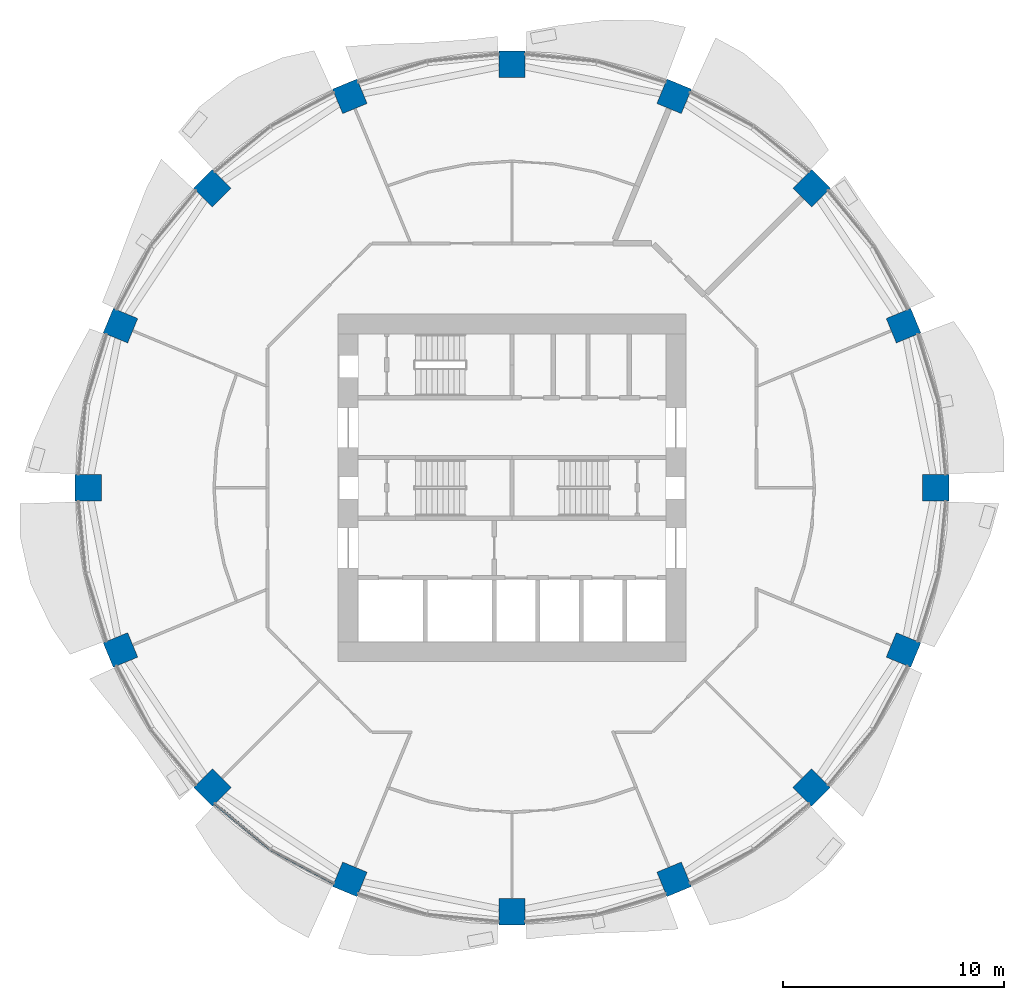
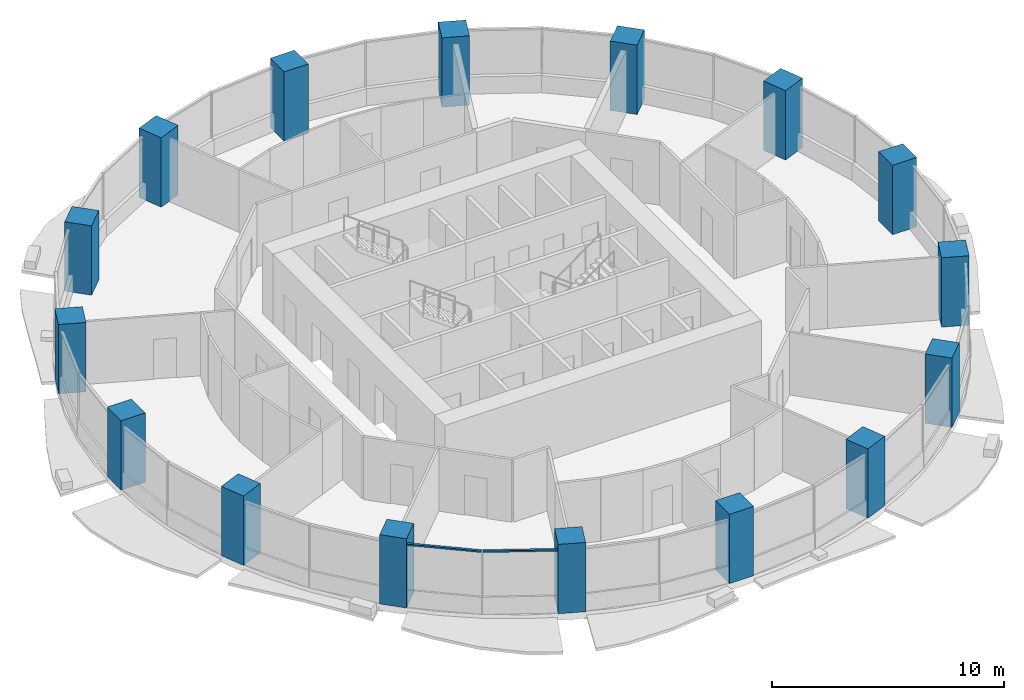
# One storey, part 1 of 15: 16 columns, 2 members, 1 element without a shape of its own.
"""IFC4 building model written with IfcOpenShell, lengths in metres."""

from ifc_helpers import new_model, si_unit, direction, frame, origin, origin_2d, place, context, subcontext, project, spatial, rectangle, extrude, material, material_profile, profile_set, type_object, element, aggregate, save


model = new_model("IFC4")

# Units and contexts
model_context = context("Model", 3, precision=1e-05, world=origin(), true_north=direction((0.0, 1.0)))
body_context = subcontext(model_context, "Body", "Model", "MODEL_VIEW")
ifc_project = project(units=[si_unit("LENGTHUNIT", "METRE"), si_unit("AREAUNIT", "SQUARE_METRE"), si_unit("VOLUMEUNIT", "CUBIC_METRE"), si_unit("PLANEANGLEUNIT", "RADIAN"), si_unit("MASSUNIT", "GRAM", prefix="KILO")], contexts=[model_context])

# Site, building, storey
site_placement = place(None, origin())
site = spatial("IfcSite", under=ifc_project, at=site_placement, CompositionType="ELEMENT")
building_placement = place(site_placement, origin())
building = spatial("IfcBuilding", under=site, at=building_placement, Name="Polderwave Tower", CompositionType="ELEMENT")
storey_placement = place(building_placement, frame((0.0, 0.0, 29.85009765625)))
storey = spatial("IfcBuildingStorey", under=building, at=storey_placement, Name="L07", CompositionType="ELEMENT", Elevation=29.85009765625)

# Columns
ifc_material_1 = material(Name="Concrete C70/85", Category="concrete")
ifc_material_profile_1 = material_profile(ifc_material_1, rectangle(XDim=1.199951171875, YDim=1.199951171875, at=origin_2d()), Name="RC 1200x1200")
ifc_profile_set_1 = profile_set([ifc_material_profile_1], Name="Concrete C70/85")
column_type = type_object("IfcColumnType", Name="RC COLUMN 1200x1200 C70/85", PredefinedType="COLUMN", material=ifc_profile_set_1)
for number, where, z_axis, x_axis, name in (
    (1, (19.199951171875, 0.0, 0.0), (0.0, 0.0, 1.0), (1.0, 0.0, 0.0), "Ring column 01"),
    (2, (17.738525390625, 7.347412109375, 0.0), (0.0, 0.0, 1.0), (0.923879532511, 0.382683432365, 0.0), "Ring column 02"),
    (3, (13.576416015625, 13.576416015625, 0.0), (0.0, 0.0, 1.0), (0.707106781187, 0.707106781187, 0.0), "Ring column 03"),
    (4, (7.347412109375, 17.738525390625, 0.0), (0.0, 0.0, 1.0), (0.382683432365, 0.923879532511, 0.0), "Ring column 04"),
    (5, (0.0, 19.199951171875, 0.0), (0.0, 0.0, 1.0), (0.0, 1.0, 0.0), "Ring column 05"),
    (6, (-7.347412109375, 17.738525390625, 0.0), (0.0, 0.0, 1.0), (-0.382683432365, 0.923879532511, 0.0), "Ring column 06"),
    (7, (-13.576416015625, 13.576416015625, 0.0), (0.0, 0.0, 1.0), (-0.707106781187, 0.707106781187, 0.0), "Ring column 07"),
    (8, (-17.738525390625, 7.347412109375, 0.0), (0.0, 0.0, 1.0), (-0.923879532511, 0.382683432365, 0.0), "Ring column 08"),
    (9, (-19.199951171875, 0.0, 0.0), (0.0, 0.0, 1.0), (-1.0, 0.0, 0.0), "Ring column 09"),
    (10, (-17.738525390625, -7.347412109375, 0.0), (0.0, 0.0, 1.0), (-0.923879532511, -0.382683432365, 0.0), "Ring column 10"),
    (11, (-13.576416015625, -13.576416015625, 0.0), (0.0, 0.0, 1.0), (-0.707106781187, -0.707106781187, 0.0), "Ring column 11"),
    (12, (-7.347412109375, -17.738525390625, 0.0), (0.0, 0.0, 1.0), (-0.382683432365, -0.923879532511, 0.0), "Ring column 12"),
    (13, (0.0, -19.199951171875, 0.0), (0.0, 0.0, 1.0), (0.0, -1.0, 0.0), "Ring column 13"),
    (14, (7.347412109375, -17.738525390625, 0.0), (0.0, 0.0, 1.0), (0.382683432365, -0.923879532511, 0.0), "Ring column 14"),
    (15, (13.576416015625, -13.576416015625, 0.0), (0.0, 0.0, 1.0), (0.707106781187, -0.707106781187, 0.0), "Ring column 15"),
    (16, (17.738525390625, -7.347412109375, 0.0), (0.0, 0.0, 1.0), (0.923879532511, -0.382683432365, 0.0), "Ring column 16"),
):
    element("IfcColumn", number, at=place(storey_placement, frame(where, z_axis=z_axis, x_axis=x_axis)), inside=storey, type_object=column_type, Name=name, PredefinedType="COLUMN", context=body_context, shape_type="SweptSolid", body=[
        extrude(rectangle(XDim=1.199951171875, YDim=1.199951171875, at=origin_2d()), origin(), (0.0, 0.0, 1.0), 3.64990234375),
    ])

# Curtain wall, members
ifc_material_2 = material(Name="Aluminium 6063-T6 and glass", Category="aluminium")
curtain_wall_type = type_object("IfcCurtainWallType", Name="Growing floor ribbon glazing wall", PredefinedType="NOTDEFINED", material=ifc_material_2)
curtain_wall_placement = place(storey_placement, origin())
curtain_wall = element("IfcCurtainWall", 17, at=curtain_wall_placement, inside=storey, type_object=curtain_wall_type, Name="CW2 L07 10", PredefinedType="NOTDEFINED")
ifc_material_3 = material(Name="Aluminium 6063-T6", Category="aluminium")
ifc_material_profile_2 = material_profile(ifc_material_3, rectangle(XDim=0.1201171875, YDim=0.080078125, at=origin_2d()), Name="AL 80x120")
ifc_profile_set_2 = profile_set([ifc_material_profile_2], Name="Aluminium 6063-T6")
member_type = type_object("IfcMemberType", Name="Growing floor ribbon glazing transom 80x120", PredefinedType="USERDEFINED", material=ifc_profile_set_2)
member_1_placement = place(storey_placement, frame((-13.464111328125, -14.31201171875, 3.260009765625), z_axis=(0.772891772245, -0.634537869946, 0.0), x_axis=(0.634537869946, 0.772891772245, 0.0)))
member_1 = element("IfcMember", 18, at=member_1_placement, type_object=member_type, Name="CW2 transom 1", ObjectType="TRANSOM", PredefinedType="USERDEFINED", context=body_context, shape_type="SweptSolid", body=[
    extrude(rectangle(XDim=0.1201171875, YDim=0.080078125, at=origin_2d()), origin(), (0.0, 0.0, 1.0), 3.229248046875),
])
member_2_placement = place(storey_placement, frame((-10.91845703125, -16.39404296875, 3.260009765625), z_axis=(0.88192137056, -0.471396538118, 0.0), x_axis=(0.471396538118, 0.88192137056, 0.0)))
member_2 = element("IfcMember", 19, at=member_2_placement, type_object=member_type, Name="CW2 transom 2", ObjectType="TRANSOM", PredefinedType="USERDEFINED", context=body_context, shape_type="SweptSolid", body=[
    extrude(rectangle(XDim=0.1201171875, YDim=0.080078125, at=origin_2d()), origin(), (0.0, 0.0, 1.0), 3.228759765625),
])
aggregate(curtain_wall, [member_1, member_2])

save(model, "model.ifc")
